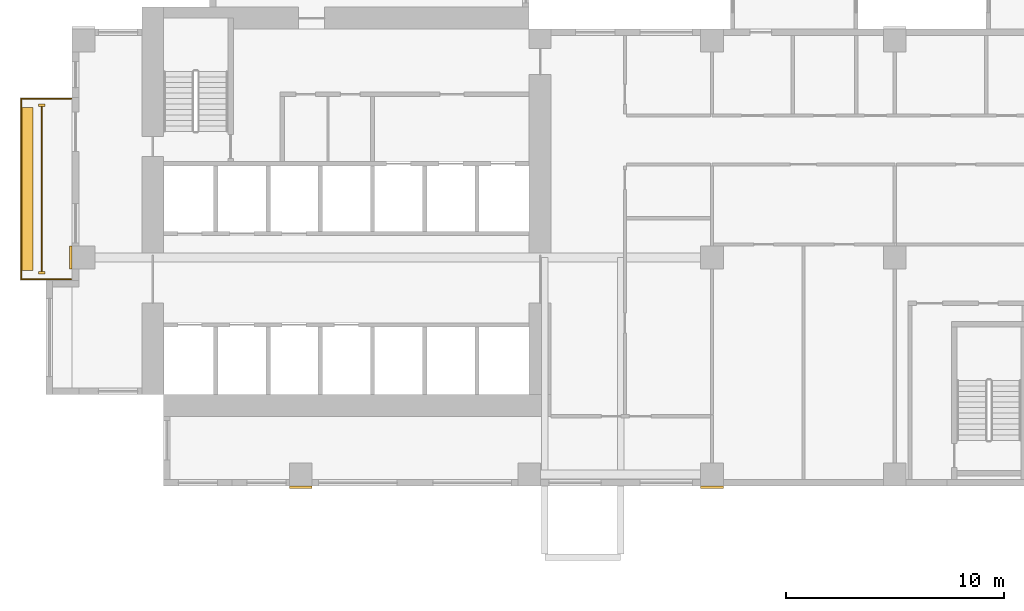
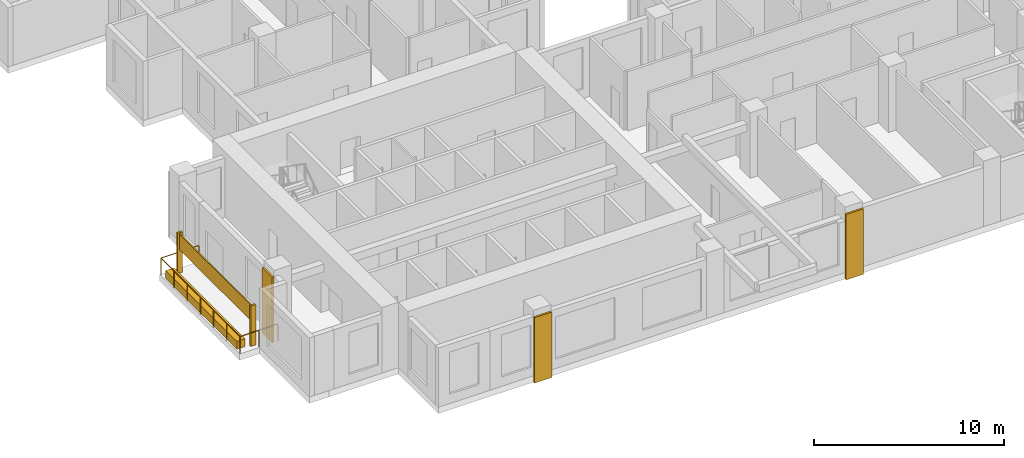
# One storey, part 11 of 15: 7 coverings, 1 railing.
"""IFC4 building model written with IfcOpenShell, lengths in metres."""

from ifc_helpers import new_model, si_unit, direction, frame, origin, origin_2d, place, context, subcontext, project, spatial, rectangle, circle, extrude, source, transform, mapped, material, type_object, element, save


model = new_model("IFC4")

# Units and contexts
model_context = context("Model", 3, precision=1e-05, world=origin(), true_north=direction((0.0, 1.0)))
body_context = subcontext(model_context, "Body", "Model", "MODEL_VIEW")
ifc_project = project(units=[si_unit("LENGTHUNIT", "METRE"), si_unit("AREAUNIT", "SQUARE_METRE"), si_unit("VOLUMEUNIT", "CUBIC_METRE"), si_unit("PLANEANGLEUNIT", "RADIAN"), si_unit("MASSUNIT", "GRAM", prefix="KILO")], contexts=[model_context])

# Site, building, storey
site_placement = place(None, origin())
site = spatial("IfcSite", under=ifc_project, at=site_placement, CompositionType="ELEMENT")
building_placement = place(site_placement, origin())
building = spatial("IfcBuilding", under=site, at=building_placement, Name="Aurelian Terraces", CompositionType="ELEMENT")
storey_placement = place(building_placement, frame((0.0, 0.0, 107.7)))
storey = spatial("IfcBuildingStorey", under=building, at=storey_placement, Name="L23", CompositionType="ELEMENT", Elevation=107.7)

# Coverings
ifc_material_1 = material(Name="Terracotta rainscreen cladding relief", Category="masonry")
covering_type_1 = type_object("IfcCoveringType", Name="FIN-TC", PredefinedType="CLADDING", material=ifc_material_1)
shared_shape_1 = source(origin(), body_context, "Body", "SweptSolid", [
    extrude(rectangle(XDim=0.3, YDim=0.12, at=origin_2d()), origin(), (0.0, 0.0, 1.0), 2.6),
])
for number, where, z_axis, x_axis, name in (
    (1, (-1.4, 17.5, 0.0), (0.0, 0.0, 1.0), (1.0, 0.0, 0.0), "FIN L23 L23-F20-38.1"),
    (2, (-1.4, 9.8, 0.0), (0.0, 0.0, 1.0), (1.0, 0.0, 0.0), "FIN L23 L23-F20-38.2"),
):
    element("IfcCovering", number, at=place(storey_placement, frame(where, z_axis=z_axis, x_axis=x_axis)), inside=storey, type_object=covering_type_1, Name=name, PredefinedType="CLADDING", context=body_context, shape_type="MappedRepresentation", body=[
        mapped(shared_shape_1, transform((0.0, 0.0, 0.0), scale=1.0)),
    ])
covering_type_2 = type_object("IfcCoveringType", Name="BAGUETTE-TC", PredefinedType="CLADDING", material=ifc_material_1)
shared_shape_2 = source(origin(), body_context, "Body", "SweptSolid", [
    extrude(rectangle(XDim=1.05, YDim=0.12, at=origin_2d()), origin(), (0.0, 0.0, 1.0), 4.2),
])
for number, where, z_axis, x_axis, name in (
    (3, (10.5, -0.06, -0.4), (0.0, 0.0, 1.0), (1.0, 0.0, 0.0), "BAGUETTE pier L23 1"),
    (4, (29.4, -0.06, -0.4), (0.0, 0.0, 1.0), (1.0, 0.0, 0.0), "BAGUETTE pier L23 2"),
):
    element("IfcCovering", number, at=place(storey_placement, frame(where, z_axis=z_axis, x_axis=x_axis)), inside=storey, type_object=covering_type_2, Name=name, PredefinedType="CLADDING", context=body_context, shape_type="MappedRepresentation", body=[
        mapped(shared_shape_2, transform((0.0, 0.0, 0.0), scale=1.0)),
    ])

# Railing
ifc_material_2 = material(Name="Anodised aluminium", Category="aluminium")
railing_type = type_object("IfcRailingType", Name="GUARD-1100", PredefinedType="GUARDRAIL", material=ifc_material_2)
shared_shape_3 = source(origin(), body_context, "Body", "SweptSolid", [
    extrude(circle(Radius=0.024, at=origin_2d()), frame((0.0, 0.0, 1.076), z_axis=(-1.0, 0.0, 0.0), x_axis=(0.0, -1.0, 0.0)), (0.0, 0.0, 1.0), 2.3),
    extrude(circle(Radius=0.024, at=origin_2d()), frame((-2.3, 0.0, 1.076), z_axis=(0.0, -1.0, 0.0), x_axis=(1.0, 0.0, 0.0)), (0.0, 0.0, 1.0), 8.3),
    extrude(circle(Radius=0.024, at=origin_2d()), frame((-2.3, -8.3, 1.076), z_axis=(1.0, 0.0, 0.0), x_axis=(0.0, 1.0, 0.0)), (0.0, 0.0, 1.0), 2.3),
    extrude(circle(Radius=0.021, at=origin_2d()), origin(), (0.0, 0.0, 1.0), 1.052),
    extrude(circle(Radius=0.021, at=origin_2d()), frame((-1.15, 0.0, 0.0)), (0.0, 0.0, 1.0), 1.052),
    extrude(circle(Radius=0.021, at=origin_2d()), frame((-2.3, 0.0, 0.0)), (0.0, 0.0, 1.0), 1.052),
    extrude(circle(Radius=0.021, at=origin_2d()), frame((-2.3, -1.3833, 0.0)), (0.0, 0.0, 1.0), 1.052),
    extrude(circle(Radius=0.021, at=origin_2d()), frame((-2.3, -2.7667, 0.0)), (0.0, 0.0, 1.0), 1.052),
    extrude(circle(Radius=0.021, at=origin_2d()), frame((-2.3, -4.15, 0.0)), (0.0, 0.0, 1.0), 1.052),
    extrude(circle(Radius=0.021, at=origin_2d()), frame((-2.3, -5.5333, 0.0)), (0.0, 0.0, 1.0), 1.052),
    extrude(circle(Radius=0.021, at=origin_2d()), frame((-2.3, -6.9167, 0.0)), (0.0, 0.0, 1.0), 1.052),
    extrude(circle(Radius=0.021, at=origin_2d()), frame((-2.3, -8.3, 0.0)), (0.0, 0.0, 1.0), 1.052),
    extrude(circle(Radius=0.021, at=origin_2d()), frame((-1.15, -8.3, 0.0)), (0.0, 0.0, 1.0), 1.052),
    extrude(circle(Radius=0.021, at=origin_2d()), frame((0.0, -8.3, 0.0)), (0.0, 0.0, 1.0), 1.052),
])
railing_placement = place(storey_placement, frame((-0.05, 17.8, 0.0)))
element("IfcRailing", 5, at=railing_placement, inside=storey, type_object=railing_type, Name="Balcony guard L23 F20.38", PredefinedType="GUARDRAIL", context=body_context, shape_type="MappedRepresentation", body=[
    mapped(shared_shape_3, transform((0.0, 0.0, 0.0), scale=1.0)),
])

# Coverings
ifc_material_3 = material(Name="Terracotta planter with planting soil", Category="masonry")
covering_type_3 = type_object("IfcCoveringType", Name="PLANTER-TROUGH", PredefinedType="USERDEFINED", material=ifc_material_3)
shared_shape_4 = source(origin(), body_context, "Body", "SweptSolid", [
    extrude(rectangle(XDim=0.5, YDim=7.5, at=origin_2d()), origin(), (0.0, 0.0, 1.0), 0.5),
])
covering_1_placement = place(storey_placement, frame((-2.05, 13.65, 0.0), z_axis=(0.0, 0.0, 1.0), x_axis=(1.0, 0.0, 0.0)))
element("IfcCovering", 6, at=covering_1_placement, inside=storey, type_object=covering_type_3, Name="PLANTER L23 L23-F20-38", ObjectType="PLANTER", PredefinedType="USERDEFINED", context=body_context, shape_type="MappedRepresentation", body=[
    mapped(shared_shape_4, transform((0.0, 0.0, 0.0), scale=1.0)),
])
ifc_material_4 = material(Name="Terracotta rainscreen cladding", Category="masonry")
covering_type_4 = type_object("IfcCoveringType", Name="SCREEN-TC", PredefinedType="CLADDING", material=ifc_material_4)
shared_shape_5 = source(origin(), body_context, "Body", "SweptSolid", [
    extrude(rectangle(XDim=0.06, YDim=7.58, at=origin_2d()), origin(), (0.0, 0.0, 1.0), 1.0),
])
covering_2_placement = place(storey_placement, frame((-1.4, 13.65, 1.5), z_axis=(0.0, 0.0, 1.0), x_axis=(1.0, 0.0, 0.0)))
element("IfcCovering", 7, at=covering_2_placement, inside=storey, type_object=covering_type_4, Name="SCREEN L23 L23-F20-38", PredefinedType="CLADDING", context=body_context, shape_type="MappedRepresentation", body=[
    mapped(shared_shape_5, transform((0.0, 0.0, 0.0), scale=1.0)),
])
shared_shape_6 = source(origin(), body_context, "Body", "SweptSolid", [
    extrude(rectangle(XDim=0.12, YDim=1.05, at=origin_2d()), origin(), (0.0, 0.0, 1.0), 4.2),
])
covering_3_placement = place(storey_placement, frame((-0.06, 10.5, -0.4), z_axis=(0.0, 0.0, 1.0), x_axis=(1.0, 0.0, 0.0)))
element("IfcCovering", 8, at=covering_3_placement, inside=storey, type_object=covering_type_2, Name="BAGUETTE pier L23 5", PredefinedType="CLADDING", context=body_context, shape_type="MappedRepresentation", body=[
    mapped(shared_shape_6, transform((0.0, 0.0, 0.0), scale=1.0)),
])

save(model, "model.ifc")
